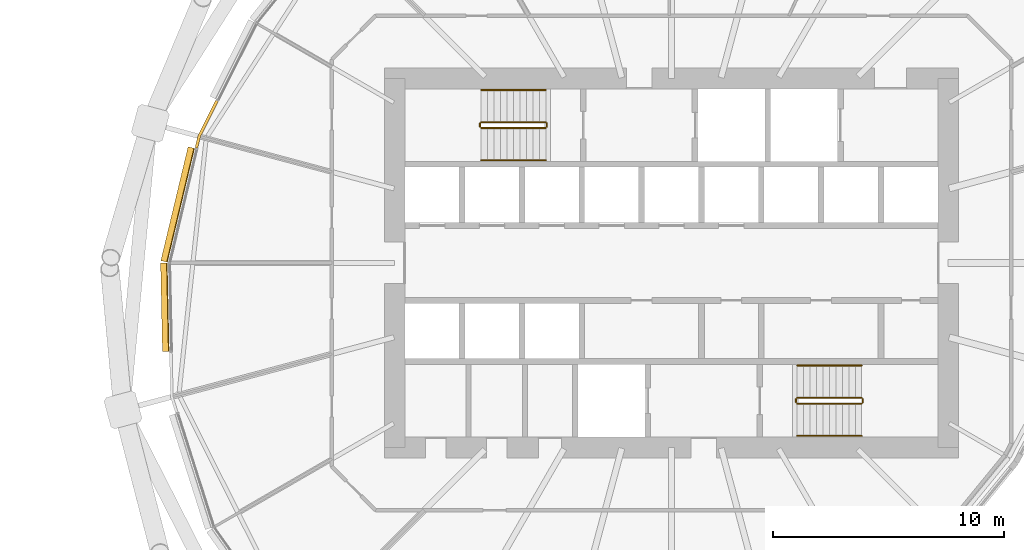
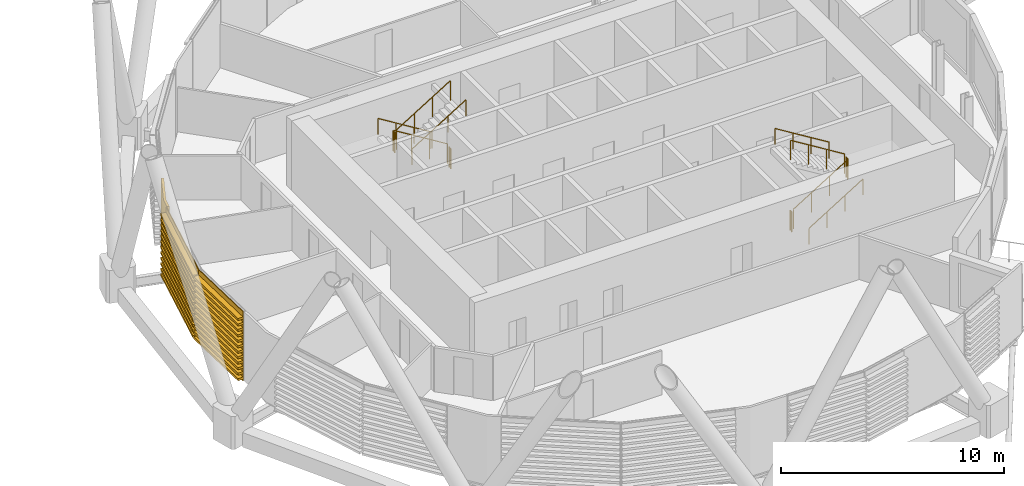
# One storey, part 38 of 40: 12 railings, 3 coverings.
"""IFC4 building model written with IfcOpenShell, lengths in metres."""

from ifc_helpers import new_model, si_unit, direction, frame, origin, origin_2d, place, context, subcontext, project, spatial, polyline, circle, outline, extrude, material, layer, layer_set, material_profile, profile_set, type_object, element, save


model = new_model("IFC4")

# Units and contexts
model_context = context("Model", 3, precision=1e-05, world=origin(), true_north=direction((0.0, 1.0)))
body_context = subcontext(model_context, "Body", "Model", "MODEL_VIEW")
ifc_project = project(units=[si_unit("LENGTHUNIT", "METRE"), si_unit("AREAUNIT", "SQUARE_METRE"), si_unit("VOLUMEUNIT", "CUBIC_METRE"), si_unit("PLANEANGLEUNIT", "RADIAN"), si_unit("MASSUNIT", "GRAM", prefix="KILO")], contexts=[model_context])

# Site, building, storey
site_placement = place(None, origin())
site = spatial("IfcSite", under=ifc_project, at=site_placement, CompositionType="ELEMENT")
building_placement = place(site_placement, origin())
building = spatial("IfcBuilding", under=site, at=building_placement, Name="Rimbun Link Towers", CompositionType="ELEMENT")
storey_placement = place(building_placement, frame((0.0, 0.0, 52.800048828125)))
storey = spatial("IfcBuildingStorey", under=building, at=storey_placement, Name="L12", CompositionType="ELEMENT", Elevation=52.800048828125)

# Covering
ifc_material_1 = material(Name="Terracotta", Category="masonry")
ifc_layer = layer(ifc_material_1, 0.1201171875)
ifc_layer_set = layer_set([ifc_layer], Name="LINK PIER terracotta cladding 120")
covering_type_1 = type_object("IfcCoveringType", Name="LINK PIER terracotta cladding 120", PredefinedType="CLADDING", material=ifc_layer_set)
covering_1_placement = place(storey_placement, origin())
element("IfcCovering", 1, at=covering_1_placement, inside=storey, type_object=covering_type_1, Name="LINK PIER cladding", PredefinedType="CLADDING", context=body_context, shape_type="SweptSolid", body=[
    extrude(outline(polyline([(11.20751953125, 4.96630859375), (11.328369140625, 5.471923828125), (12.100341796875, 7.009033203125), (11.9931640625, 7.06298828125), (11.21484375, 5.513427734375), (11.0908203125, 4.994140625), (11.20751953125, 4.96630859375)])), origin(), (0.0, 0.0, 1.0), 3.800048828125),
])

# Railings
ifc_material_2 = material(Name="Stainless steel grade 316", Category="steel")
railing_type_1 = type_object("IfcRailingType", Name="Stair guard", PredefinedType="GUARDRAIL", material=ifc_material_2)
railing_1_placement = place(storey_placement, frame((26.300048828125, 6.10009765625, 0.172607421875)))
element("IfcRailing", 2, at=railing_1_placement, inside=storey, type_object=railing_type_1, Name="L12 ST3 stair guard 1", PredefinedType="GUARDRAIL", context=body_context, shape_type="SweptSolid", body=[
    extrude(circle(Radius=0.02392578125, at=origin_2d()), frame((0.0, 0.0, 1.076171875), z_axis=(-0.851089632645, 0.0, 0.525020415988), x_axis=(0.0, -1.0, 0.0)), (0.0, 0.0, 1.0), 3.2900390625),
    extrude(circle(Radius=0.02099609375, at=origin_2d()), origin(), (0.0, 0.0, 1.0), 1.052001953125),
    extrude(circle(Radius=0.02099609375, at=origin_2d()), frame((-0.933349609375, 0.0, 0.57568359375)), (0.0, 0.0, 1.0), 1.052001953125),
    extrude(circle(Radius=0.02099609375, at=origin_2d()), frame((-1.86669921875, 0.0, 1.151611328125)), (0.0, 0.0, 1.0), 1.052001953125),
    extrude(circle(Radius=0.02099609375, at=origin_2d()), frame((-2.800048828125, 0.0, 1.727294921875)), (0.0, 0.0, 1.0), 1.052001953125),
])
railing_2_placement = place(storey_placement, frame((23.449951171875, 6.050048828125, 1.89990234375)))
element("IfcRailing", 3, at=railing_2_placement, inside=storey, type_object=railing_type_1, Name="L12 ST3 stair guard 2", PredefinedType="GUARDRAIL", context=body_context, shape_type="SweptSolid", body=[
    extrude(circle(Radius=0.02392578125, at=origin_2d()), frame((0.0, 0.0, 1.076171875), z_axis=(0.0, -1.0, 0.0), x_axis=(1.0, 0.0, 0.0)), (0.0, 0.0, 1.0), 0.150146484375),
    extrude(circle(Radius=0.02099609375, at=origin_2d()), origin(), (0.0, 0.0, 1.0), 1.052001953125),
    extrude(circle(Radius=0.02099609375, at=origin_2d()), frame((0.0, -0.150146484375, 0.0)), (0.0, 0.0, 1.0), 1.052001953125),
])
railing_3_placement = place(storey_placement, frame((23.5, 5.85009765625, 2.07275390625)))
element("IfcRailing", 4, at=railing_3_placement, inside=storey, type_object=railing_type_1, Name="L12 ST3 stair guard 3", PredefinedType="GUARDRAIL", context=body_context, shape_type="SweptSolid", body=[
    extrude(circle(Radius=0.02392578125, at=origin_2d()), frame((0.0, 0.0, 1.076171875), z_axis=(0.851089632645, 0.0, 0.525020415988), x_axis=(0.0, 1.0, 0.0)), (0.0, 0.0, 1.0), 3.2900390625),
    extrude(circle(Radius=0.02099609375, at=origin_2d()), origin(), (0.0, 0.0, 1.0), 1.052001953125),
    extrude(circle(Radius=0.02099609375, at=origin_2d()), frame((0.933349609375, 0.0, 0.57568359375)), (0.0, 0.0, 1.0), 1.052001953125),
    extrude(circle(Radius=0.02099609375, at=origin_2d()), frame((1.86669921875, 0.0, 1.151611328125)), (0.0, 0.0, 1.0), 1.052001953125),
    extrude(circle(Radius=0.02099609375, at=origin_2d()), frame((2.800048828125, 0.0, 1.727294921875)), (0.0, 0.0, 1.0), 1.052001953125),
])
railing_4_placement = place(storey_placement, frame((26.35009765625, 6.050048828125, 0.0)))
element("IfcRailing", 5, at=railing_4_placement, inside=storey, type_object=railing_type_1, Name="L12 ST3 stair guard 4", PredefinedType="GUARDRAIL", context=body_context, shape_type="SweptSolid", body=[
    extrude(circle(Radius=0.02392578125, at=origin_2d()), frame((0.0, 0.0, 1.076171875), z_axis=(0.0, -1.0, 0.0), x_axis=(1.0, 0.0, 0.0)), (0.0, 0.0, 1.0), 0.150146484375),
    extrude(circle(Radius=0.02099609375, at=origin_2d()), origin(), (0.0, 0.0, 1.0), 1.052001953125),
    extrude(circle(Radius=0.02099609375, at=origin_2d()), frame((0.0, -0.150146484375, 0.0)), (0.0, 0.0, 1.0), 1.052001953125),
])
railing_5_placement = place(storey_placement, frame((37.199951171875, -6.10009765625, 0.172607421875)))
element("IfcRailing", 6, at=railing_5_placement, inside=storey, type_object=railing_type_1, Name="L12 ST4 stair guard 1", PredefinedType="GUARDRAIL", context=body_context, shape_type="SweptSolid", body=[
    extrude(circle(Radius=0.02392578125, at=origin_2d()), frame((0.0, 0.0, 1.076171875), z_axis=(0.851089632645, 0.0, 0.525020415988), x_axis=(0.0, 1.0, 0.0)), (0.0, 0.0, 1.0), 3.2900390625),
    extrude(circle(Radius=0.02099609375, at=origin_2d()), origin(), (0.0, 0.0, 1.0), 1.052001953125),
    extrude(circle(Radius=0.02099609375, at=origin_2d()), frame((0.933349609375, 0.0, 0.57568359375)), (0.0, 0.0, 1.0), 1.052001953125),
    extrude(circle(Radius=0.02099609375, at=origin_2d()), frame((1.86669921875, 0.0, 1.151611328125)), (0.0, 0.0, 1.0), 1.052001953125),
    extrude(circle(Radius=0.02099609375, at=origin_2d()), frame((2.800048828125, 0.0, 1.727294921875)), (0.0, 0.0, 1.0), 1.052001953125),
])
railing_6_placement = place(storey_placement, frame((40.050048828125, -6.050048828125, 1.89990234375)))
element("IfcRailing", 7, at=railing_6_placement, inside=storey, type_object=railing_type_1, Name="L12 ST4 stair guard 2", PredefinedType="GUARDRAIL", context=body_context, shape_type="SweptSolid", body=[
    extrude(circle(Radius=0.02392578125, at=origin_2d()), frame((0.0, 0.0, 1.076171875), z_axis=(0.0, 1.0, 0.0), x_axis=(-1.0, 0.0, 0.0)), (0.0, 0.0, 1.0), 0.150146484375),
    extrude(circle(Radius=0.02099609375, at=origin_2d()), origin(), (0.0, 0.0, 1.0), 1.052001953125),
    extrude(circle(Radius=0.02099609375, at=origin_2d()), frame((0.0, 0.150146484375, 0.0)), (0.0, 0.0, 1.0), 1.052001953125),
])
railing_7_placement = place(storey_placement, frame((40.0, -5.85009765625, 2.07275390625)))
element("IfcRailing", 8, at=railing_7_placement, inside=storey, type_object=railing_type_1, Name="L12 ST4 stair guard 3", PredefinedType="GUARDRAIL", context=body_context, shape_type="SweptSolid", body=[
    extrude(circle(Radius=0.02392578125, at=origin_2d()), frame((0.0, 0.0, 1.076171875), z_axis=(-0.851089632645, 0.0, 0.525020415988), x_axis=(0.0, -1.0, 0.0)), (0.0, 0.0, 1.0), 3.2900390625),
    extrude(circle(Radius=0.02099609375, at=origin_2d()), origin(), (0.0, 0.0, 1.0), 1.052001953125),
    extrude(circle(Radius=0.02099609375, at=origin_2d()), frame((-0.933349609375, 0.0, 0.57568359375)), (0.0, 0.0, 1.0), 1.052001953125),
    extrude(circle(Radius=0.02099609375, at=origin_2d()), frame((-1.86669921875, 0.0, 1.151611328125)), (0.0, 0.0, 1.0), 1.052001953125),
    extrude(circle(Radius=0.02099609375, at=origin_2d()), frame((-2.800048828125, 0.0, 1.727294921875)), (0.0, 0.0, 1.0), 1.052001953125),
])
railing_8_placement = place(storey_placement, frame((37.14990234375, -6.050048828125, 0.0)))
element("IfcRailing", 9, at=railing_8_placement, inside=storey, type_object=railing_type_1, Name="L12 ST4 stair guard 4", PredefinedType="GUARDRAIL", context=body_context, shape_type="SweptSolid", body=[
    extrude(circle(Radius=0.02392578125, at=origin_2d()), frame((0.0, 0.0, 1.076171875), z_axis=(0.0, 1.0, 0.0), x_axis=(-1.0, 0.0, 0.0)), (0.0, 0.0, 1.0), 0.150146484375),
    extrude(circle(Radius=0.02099609375, at=origin_2d()), origin(), (0.0, 0.0, 1.0), 1.052001953125),
    extrude(circle(Radius=0.02099609375, at=origin_2d()), frame((0.0, 0.150146484375, 0.0)), (0.0, 0.0, 1.0), 1.052001953125),
])
ifc_material_3 = material(Name="Stainless steel grade 316", Category="steel")
railing_type_2 = type_object("IfcRailingType", Name="Stair handrail", PredefinedType="HANDRAIL", material=ifc_material_3)
railing_9_placement = place(storey_placement, frame((26.300048828125, 7.5, 0.172607421875)))
element("IfcRailing", 10, at=railing_9_placement, inside=storey, type_object=railing_type_2, Name="L12 ST3 stair handrail 1", PredefinedType="HANDRAIL", context=body_context, shape_type="SweptSolid", body=[
    extrude(circle(Radius=0.02392578125, at=origin_2d()), frame((0.0, 0.0, 0.8759765625), z_axis=(-0.851089632645, 0.0, 0.525020415988), x_axis=(0.0, -1.0, 0.0)), (0.0, 0.0, 1.0), 3.2900390625),
    extrude(circle(Radius=0.02099609375, at=origin_2d()), origin(), (0.0, 0.0, 1.0), 0.851806640625),
    extrude(circle(Radius=0.02099609375, at=origin_2d()), frame((-0.933349609375, 0.0, 0.57568359375)), (0.0, 0.0, 1.0), 0.851806640625),
    extrude(circle(Radius=0.02099609375, at=origin_2d()), frame((-1.86669921875, 0.0, 1.151611328125)), (0.0, 0.0, 1.0), 0.851806640625),
    extrude(circle(Radius=0.02099609375, at=origin_2d()), frame((-2.800048828125, 0.0, 1.727294921875)), (0.0, 0.0, 1.0), 0.851806640625),
])
for number, where, name in (
    (11, (23.5, 4.449951171875, 2.07275390625), "L12 ST3 stair handrail 2"),
    (12, (37.199951171875, -7.5, 0.172607421875), "L12 ST4 stair handrail 1"),
):
    element("IfcRailing", number, at=place(storey_placement, frame(where)), inside=storey, type_object=railing_type_2, Name=name, PredefinedType="HANDRAIL", context=body_context, shape_type="SweptSolid", body=[
        extrude(circle(Radius=0.02392578125, at=origin_2d()), frame((0.0, 0.0, 0.8759765625), z_axis=(0.851089632645, 0.0, 0.525020415988), x_axis=(0.0, 1.0, 0.0)), (0.0, 0.0, 1.0), 3.2900390625),
        extrude(circle(Radius=0.02099609375, at=origin_2d()), origin(), (0.0, 0.0, 1.0), 0.851806640625),
        extrude(circle(Radius=0.02099609375, at=origin_2d()), frame((0.933349609375, 0.0, 0.57568359375)), (0.0, 0.0, 1.0), 0.851806640625),
        extrude(circle(Radius=0.02099609375, at=origin_2d()), frame((1.86669921875, 0.0, 1.151611328125)), (0.0, 0.0, 1.0), 0.851806640625),
        extrude(circle(Radius=0.02099609375, at=origin_2d()), frame((2.800048828125, 0.0, 1.727294921875)), (0.0, 0.0, 1.0), 0.851806640625),
    ])
railing_10_placement = place(storey_placement, frame((40.0, -4.449951171875, 2.07275390625)))
element("IfcRailing", 13, at=railing_10_placement, inside=storey, type_object=railing_type_2, Name="L12 ST4 stair handrail 2", PredefinedType="HANDRAIL", context=body_context, shape_type="SweptSolid", body=[
    extrude(circle(Radius=0.02392578125, at=origin_2d()), frame((0.0, 0.0, 0.8759765625), z_axis=(-0.851089632645, 0.0, 0.525020415988), x_axis=(0.0, -1.0, 0.0)), (0.0, 0.0, 1.0), 3.2900390625),
    extrude(circle(Radius=0.02099609375, at=origin_2d()), origin(), (0.0, 0.0, 1.0), 0.851806640625),
    extrude(circle(Radius=0.02099609375, at=origin_2d()), frame((-0.933349609375, 0.0, 0.57568359375)), (0.0, 0.0, 1.0), 0.851806640625),
    extrude(circle(Radius=0.02099609375, at=origin_2d()), frame((-1.86669921875, 0.0, 1.151611328125)), (0.0, 0.0, 1.0), 0.851806640625),
    extrude(circle(Radius=0.02099609375, at=origin_2d()), frame((-2.800048828125, 0.0, 1.727294921875)), (0.0, 0.0, 1.0), 0.851806640625),
])

# Coverings
ifc_material_4 = material(Name="Terracotta", Category="masonry")
ifc_material_profile = material_profile(ifc_material_4, outline(polyline([(0.123046875, 0.0), (0.1630859375, 0.0), (0.1630859375, 0.10009765625), (0.423095703125, 0.10009765625), (0.423095703125, 0.219970703125), (0.1630859375, 0.219970703125), (0.1630859375, 0.39990234375), (0.423095703125, 0.39990234375), (0.423095703125, 0.52001953125), (0.1630859375, 0.52001953125), (0.1630859375, 0.699951171875), (0.423095703125, 0.699951171875), (0.423095703125, 0.820068359375), (0.1630859375, 0.820068359375), (0.1630859375, 1.0), (0.423095703125, 1.0), (0.423095703125, 1.1201171875), (0.1630859375, 1.1201171875), (0.1630859375, 1.300048828125), (0.423095703125, 1.300048828125), (0.423095703125, 1.419921875), (0.1630859375, 1.419921875), (0.1630859375, 1.60009765625), (0.423095703125, 1.60009765625), (0.423095703125, 1.719970703125), (0.1630859375, 1.719970703125), (0.1630859375, 1.89990234375), (0.423095703125, 1.89990234375), (0.423095703125, 2.02001953125), (0.1630859375, 2.02001953125), (0.1630859375, 2.199951171875), (0.423095703125, 2.199951171875), (0.423095703125, 2.320068359375), (0.1630859375, 2.320068359375), (0.1630859375, 2.5), (0.423095703125, 2.5), (0.423095703125, 2.6201171875), (0.1630859375, 2.6201171875), (0.1630859375, 2.800048828125), (0.423095703125, 2.800048828125), (0.423095703125, 2.919921875), (0.1630859375, 2.919921875), (0.1630859375, 3.10009765625), (0.423095703125, 3.10009765625), (0.423095703125, 3.219970703125), (0.1630859375, 3.219970703125), (0.1630859375, 3.39990234375), (0.423095703125, 3.39990234375), (0.423095703125, 3.52001953125), (0.1630859375, 3.52001953125), (0.1630859375, 3.800048828125), (0.123046875, 3.800048828125), (0.123046875, 0.0)])), Name="BAGUETTE 120X300")
ifc_profile_set = profile_set([ifc_material_profile], Name="Terracotta")
covering_type_2 = type_object("IfcCoveringType", Name="TERRACOTTA BAGUETTE 120X300 H3800", PredefinedType="CLADDING", material=ifc_profile_set)
covering_2_placement = place(storey_placement, frame((10.019775390625, 0.0, 0.0), z_axis=(0.232587059033, 0.972575580595, 0.0), x_axis=(-0.972575580595, 0.232587059033, 0.0)))
element("IfcCovering", 14, at=covering_2_placement, inside=storey, type_object=covering_type_2, Name="TERRACOTTA BAGUETTE", PredefinedType="CLADDING", context=body_context, shape_type="SweptSolid", body=[
    extrude(outline(polyline([(0.123046875, 0.0), (0.1630859375, 0.0), (0.1630859375, 0.10009765625), (0.423095703125, 0.10009765625), (0.423095703125, 0.219970703125), (0.1630859375, 0.219970703125), (0.1630859375, 0.39990234375), (0.423095703125, 0.39990234375), (0.423095703125, 0.52001953125), (0.1630859375, 0.52001953125), (0.1630859375, 0.699951171875), (0.423095703125, 0.699951171875), (0.423095703125, 0.820068359375), (0.1630859375, 0.820068359375), (0.1630859375, 1.0), (0.423095703125, 1.0), (0.423095703125, 1.1201171875), (0.1630859375, 1.1201171875), (0.1630859375, 1.300048828125), (0.423095703125, 1.300048828125), (0.423095703125, 1.419921875), (0.1630859375, 1.419921875), (0.1630859375, 1.60009765625), (0.423095703125, 1.60009765625), (0.423095703125, 1.719970703125), (0.1630859375, 1.719970703125), (0.1630859375, 1.89990234375), (0.423095703125, 1.89990234375), (0.423095703125, 2.02001953125), (0.1630859375, 2.02001953125), (0.1630859375, 2.199951171875), (0.423095703125, 2.199951171875), (0.423095703125, 2.320068359375), (0.1630859375, 2.320068359375), (0.1630859375, 2.5), (0.423095703125, 2.5), (0.423095703125, 2.6201171875), (0.1630859375, 2.6201171875), (0.1630859375, 2.800048828125), (0.423095703125, 2.800048828125), (0.423095703125, 2.919921875), (0.1630859375, 2.919921875), (0.1630859375, 3.10009765625), (0.423095703125, 3.10009765625), (0.423095703125, 3.219970703125), (0.1630859375, 3.219970703125), (0.1630859375, 3.39990234375), (0.423095703125, 3.39990234375), (0.423095703125, 3.52001953125), (0.1630859375, 3.52001953125), (0.1630859375, 3.800048828125), (0.123046875, 3.800048828125), (0.123046875, 0.0)])), origin(), (0.0, 0.0, 1.0), 5.076171875),
])
covering_3_placement = place(storey_placement, frame((10.1005859375, -3.84033203125, 0.0), z_axis=(-0.021037936583, 0.99977867812, 0.0), x_axis=(-0.99977867812, -0.021037936583, 0.0)))
element("IfcCovering", 15, at=covering_3_placement, inside=storey, type_object=covering_type_2, Name="TERRACOTTA BAGUETTE", PredefinedType="CLADDING", context=body_context, shape_type="SweptSolid", body=[
    extrude(outline(polyline([(0.123046875, 0.0), (0.1630859375, 0.0), (0.1630859375, 0.10009765625), (0.423095703125, 0.10009765625), (0.423095703125, 0.219970703125), (0.1630859375, 0.219970703125), (0.1630859375, 0.39990234375), (0.423095703125, 0.39990234375), (0.423095703125, 0.52001953125), (0.1630859375, 0.52001953125), (0.1630859375, 0.699951171875), (0.423095703125, 0.699951171875), (0.423095703125, 0.820068359375), (0.1630859375, 0.820068359375), (0.1630859375, 1.0), (0.423095703125, 1.0), (0.423095703125, 1.1201171875), (0.1630859375, 1.1201171875), (0.1630859375, 1.300048828125), (0.423095703125, 1.300048828125), (0.423095703125, 1.419921875), (0.1630859375, 1.419921875), (0.1630859375, 1.60009765625), (0.423095703125, 1.60009765625), (0.423095703125, 1.719970703125), (0.1630859375, 1.719970703125), (0.1630859375, 1.89990234375), (0.423095703125, 1.89990234375), (0.423095703125, 2.02001953125), (0.1630859375, 2.02001953125), (0.1630859375, 2.199951171875), (0.423095703125, 2.199951171875), (0.423095703125, 2.320068359375), (0.1630859375, 2.320068359375), (0.1630859375, 2.5), (0.423095703125, 2.5), (0.423095703125, 2.6201171875), (0.1630859375, 2.6201171875), (0.1630859375, 2.800048828125), (0.423095703125, 2.800048828125), (0.423095703125, 2.919921875), (0.1630859375, 2.919921875), (0.1630859375, 3.10009765625), (0.423095703125, 3.10009765625), (0.423095703125, 3.219970703125), (0.1630859375, 3.219970703125), (0.1630859375, 3.39990234375), (0.423095703125, 3.39990234375), (0.423095703125, 3.52001953125), (0.1630859375, 3.52001953125), (0.1630859375, 3.800048828125), (0.123046875, 3.800048828125), (0.123046875, 0.0)])), origin(), (0.0, 0.0, 1.0), 3.841064453125),
])

save(model, "model.ifc")
